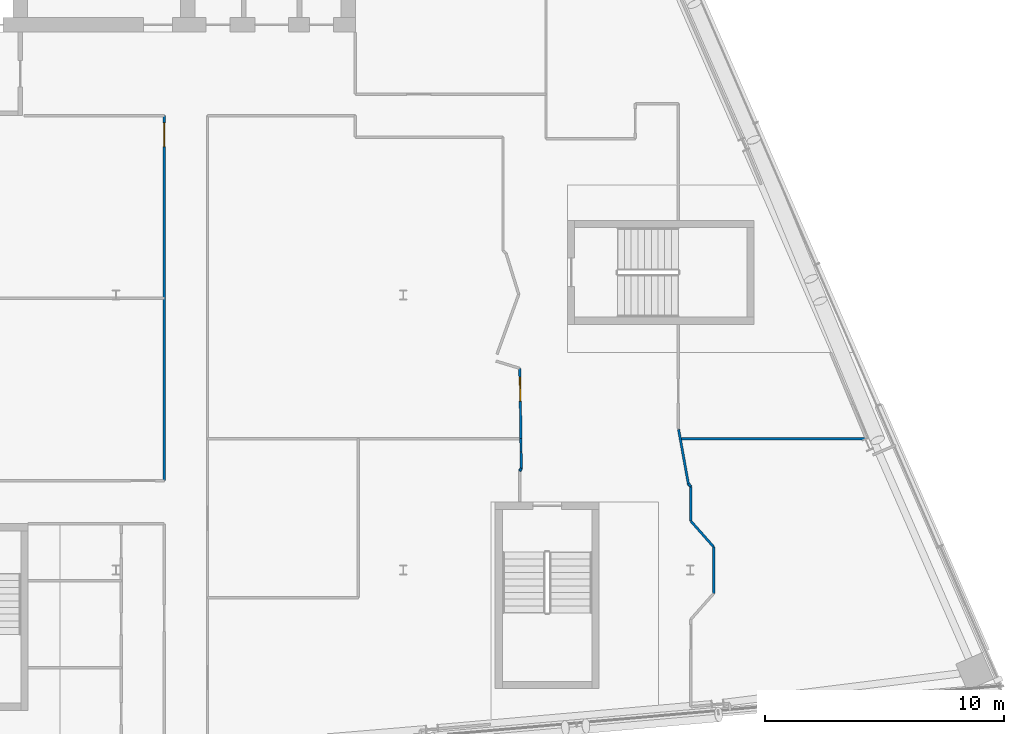
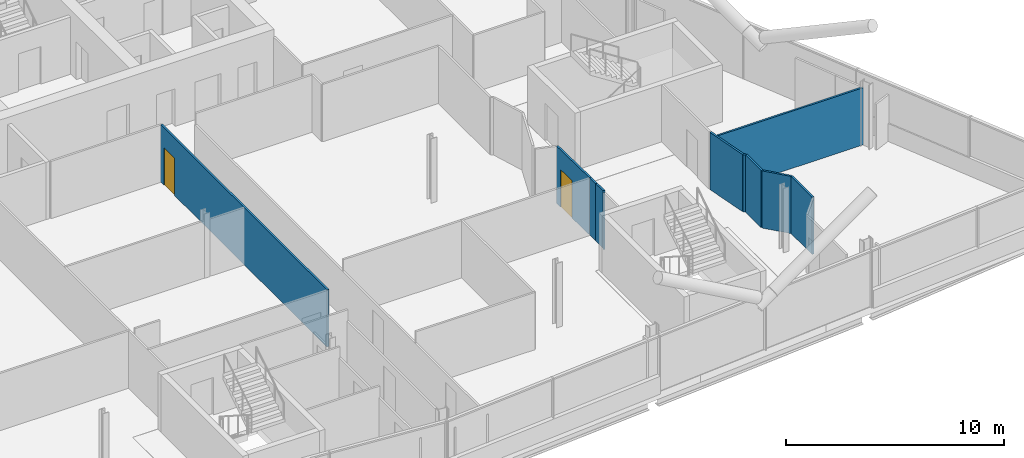
# One storey, part 17 of 28: 11 walls, 2 doors, 2 openings.
"""IFC4 building model written with IfcOpenShell, lengths in metres."""

from ifc_helpers import new_model, si_unit, direction, frame, frame_2d, origin, place, context, subcontext, project, spatial, rectangle, extrude, material, layer, layer_set, type_object, element, fill, save


model = new_model("IFC4")

# Units and contexts
model_context = context("Model", 3, precision=1e-05, world=origin(), true_north=direction((0.0, 1.0)))
body_context = subcontext(model_context, "Body", "Model", "MODEL_VIEW")
ifc_project = project(units=[si_unit("LENGTHUNIT", "METRE"), si_unit("AREAUNIT", "SQUARE_METRE"), si_unit("VOLUMEUNIT", "CUBIC_METRE"), si_unit("PLANEANGLEUNIT", "RADIAN"), si_unit("MASSUNIT", "GRAM", prefix="KILO")], contexts=[model_context])

# Site, building, storey
site_placement = place(None, origin())
site = spatial("IfcSite", under=ifc_project, at=site_placement, CompositionType="ELEMENT")
building_placement = place(site_placement, origin())
building = spatial("IfcBuilding", under=site, at=building_placement, Name="Wharfspan Tower", CompositionType="ELEMENT")
storey_placement = place(building_placement, frame((0.0, 0.0, 253.899902)))
storey = spatial("IfcBuildingStorey", under=building, at=storey_placement, Name="L64", CompositionType="ELEMENT", Elevation=253.899902)

# Wall, opening, door
ifc_material_1 = material(Name="Gypsum board on steel studs", Category="steel")
ifc_layer = layer(ifc_material_1, 0.100098)
ifc_layer_set = layer_set([ifc_layer], Name="Gypsum board on steel studs")
wall_type = type_object("IfcWallType", Name="Compartment wall 100 EI 60", PredefinedType="PARTITIONING", material=ifc_layer_set)
wall_1_placement = place(storey_placement, frame((50.02002, 15.245117, 0.0), z_axis=(0.0, 0.0, 1.0), x_axis=(0.0, 1.0, 0.0)))
wall_1 = element("IfcWall", 1, at=wall_1_placement, inside=storey, type_object=wall_type, Name="Partition L64.w028", PredefinedType="PARTITIONING", context=body_context, shape_type="SweptSolid", body=[
    extrude(rectangle(XDim=15.254883, YDim=0.100098, at=frame_2d((7.627441, 0.0))), origin(), (0.0, 0.0, 1.0), 3.200195),
])
opening_1_placement = place(wall_1_placement, frame((13.955078, 0.0, 0.0)))
opening_1 = element("IfcOpeningElement", 2, at=opening_1_placement, cuts=wall_1, Name="Opening D6-16", PredefinedType="OPENING", context=body_context, shape_type="SweptSolid", body=[
    extrude(rectangle(XDim=1.0, YDim=2.100098, at=frame_2d((0.5, 1.050049))), frame((0.0, 0.060059, 0.0), z_axis=(0.0, -1.0, 0.0), x_axis=(1.0, 0.0, 0.0)), (0.0, 0.0, 1.0), 0.120117),
])
ifc_material_2 = material(Name="Fire-rated timber door leaf in steel frame", Category="steel")
door_type = type_object("IfcDoorType", Name="Door 1000 FD30S Right", OperationType="SINGLE_SWING_RIGHT", PredefinedType="DOOR", material=ifc_material_2)
door_1_placement = place(opening_1_placement, origin())
door_1 = element("IfcDoor", 3, at=door_1_placement, inside=storey, type_object=door_type, Name="Door D6-16", OperationType="SINGLE_SWING_RIGHT", OverallHeight=2.100098, OverallWidth=1.0, PredefinedType="DOOR", context=body_context, shape_type="SweptSolid", body=[
    extrude(rectangle(XDim=1.0, YDim=2.100098, at=frame_2d((0.5, 1.050049))), frame((0.0, 0.024902, 0.0), z_axis=(0.0, -1.0, 0.0), x_axis=(1.0, 0.0, 0.0)), (0.0, 0.0, 1.0), 0.050049),
])
fill(opening_1, door_1)

# Wall
wall_2_placement = place(storey_placement, frame((64.870117, 15.64502, 0.0), z_axis=(0.0, 0.0, 1.0), x_axis=(0.491751, 0.870732, 0.0)))
element("IfcWall", 4, at=wall_2_placement, inside=storey, type_object=wall_type, Name="Partition L64.w045", PredefinedType="PARTITIONING", context=body_context, shape_type="SweptSolid", body=[
    extrude(rectangle(XDim=0.13208, YDim=0.100098, at=frame_2d((0.065918, 0.0))), origin(), (0.0, 0.0, 1.0), 3.200195),
])

# Wall, opening, door
wall_3_placement = place(storey_placement, frame((64.919922, 17.0, 0.0), z_axis=(0.0, 0.0, 1.0), x_axis=(-0.015303, 0.999879, 0.0)))
wall_3 = element("IfcWall", 5, at=wall_3_placement, inside=storey, type_object=wall_type, Name="Partition L64.w047", PredefinedType="PARTITIONING", context=body_context, shape_type="SweptSolid", body=[
    extrude(rectangle(XDim=2.935303, YDim=0.100098, at=frame_2d((1.467773, 0.0))), origin(), (0.0, 0.0, 1.0), 3.200195),
])
opening_2_placement = place(wall_3_placement, frame((1.563965, 0.0, 0.0)))
opening_2 = element("IfcOpeningElement", 6, at=opening_2_placement, cuts=wall_3, Name="Opening D6-12", PredefinedType="OPENING", context=body_context, shape_type="SweptSolid", body=[
    extrude(rectangle(XDim=1.0, YDim=2.100098, at=frame_2d((0.5, 1.050049))), frame((0.0, 0.060059, 0.0), z_axis=(0.0, -1.0, 0.0), x_axis=(1.0, 0.0, 0.0)), (0.0, 0.0, 1.0), 0.120117),
])
door_2_placement = place(opening_2_placement, origin())
door_2 = element("IfcDoor", 7, at=door_2_placement, inside=storey, type_object=door_type, Name="Door D6-12", OperationType="SINGLE_SWING_RIGHT", OverallHeight=2.100098, OverallWidth=1.0, PredefinedType="DOOR", context=body_context, shape_type="SweptSolid", body=[
    extrude(rectangle(XDim=1.0, YDim=2.100098, at=frame_2d((0.5, 1.050049))), frame((0.0, 0.024902, 0.0), z_axis=(0.0, -1.0, 0.0), x_axis=(1.0, 0.0, 0.0)), (0.0, 0.0, 1.0), 0.050049),
])
fill(opening_2, door_2)

# Walls
wall_4_placement = place(storey_placement, frame((64.925049, 16.429932, 0.0), z_axis=(0.0, 0.0, 1.0), x_axis=(-0.009071, 0.999963, 0.0)))
element("IfcWall", 8, at=wall_4_placement, inside=storey, type_object=wall_type, Name="Partition L64.w048", PredefinedType="PARTITIONING", context=body_context, shape_type="SweptSolid", body=[
    extrude(rectangle(XDim=0.565186, YDim=0.100098, at=frame_2d((0.282715, 0.0))), origin(), (0.0, 0.0, 1.0), 3.200195),
])
wall_5_placement = place(storey_placement, frame((64.935059, 15.76001, 0.0), z_axis=(0.0, 0.0, 1.0), x_axis=(-0.01494, 0.999887, 0.0)))
element("IfcWall", 9, at=wall_5_placement, inside=storey, type_object=wall_type, Name="Partition L64.w049", PredefinedType="PARTITIONING", context=body_context, shape_type="SweptSolid", body=[
    extrude(rectangle(XDim=0.669922, YDim=0.100098, at=frame_2d((0.334961, 0.0))), origin(), (0.0, 0.0, 1.0), 3.200195),
])
wall_6_placement = place(storey_placement, frame((71.580078, 16.995117, 0.0), z_axis=(0.0, 0.0, 1.0), x_axis=(1.0, 0.0, 0.0)))
element("IfcWall", 10, at=wall_6_placement, inside=storey, type_object=wall_type, Name="Partition L64.w056", PredefinedType="PARTITIONING", context=body_context, shape_type="SweptSolid", body=[
    extrude(rectangle(XDim=7.764893, YDim=0.100098, at=frame_2d((3.882324, 0.0))), origin(), (0.0, 0.0, 1.0), 3.200195),
])
wall_7_placement = place(storey_placement, frame((71.919922, 15.100098, 0.0), z_axis=(0.0, 0.0, 1.0), x_axis=(-0.176581, 0.984289, 0.0)))
element("IfcWall", 11, at=wall_7_placement, inside=storey, type_object=wall_type, Name="Partition L64.w057", PredefinedType="PARTITIONING", context=body_context, shape_type="SweptSolid", body=[
    extrude(rectangle(XDim=2.321289, YDim=0.100098, at=frame_2d((1.160645, 0.0))), origin(), (0.0, 0.0, 1.0), 3.200195),
])
wall_8_placement = place(storey_placement, frame((72.024902, 13.550049, 0.0), z_axis=(0.0, 0.0, 1.0), x_axis=(0.0, 1.0, 0.0)))
element("IfcWall", 12, at=wall_8_placement, inside=storey, type_object=wall_type, Name="Partition L64.w059", PredefinedType="PARTITIONING", context=body_context, shape_type="SweptSolid", body=[
    extrude(rectangle(XDim=1.449951, YDim=0.100098, at=frame_2d((0.725098, 0.0))), origin(), (0.0, 0.0, 1.0), 3.200195),
])
wall_9_placement = place(storey_placement, frame((72.024902, 15.0, 0.0), z_axis=(0.0, 0.0, 1.0), x_axis=(-0.723734, 0.690072, 0.0)))
element("IfcWall", 13, at=wall_9_placement, inside=storey, type_object=wall_type, Name="Partition L64.w060", PredefinedType="PARTITIONING", context=body_context, shape_type="SweptSolid", body=[
    extrude(rectangle(XDim=0.14502, YDim=0.100098, at=frame_2d((0.07251, 0.0))), origin(), (0.0, 0.0, 1.0), 3.200195),
])
wall_10_placement = place(storey_placement, frame((72.975098, 10.524902, 0.0), z_axis=(0.0, 0.0, 1.0), x_axis=(0.0, 1.0, 0.0)))
element("IfcWall", 14, at=wall_10_placement, inside=storey, type_object=wall_type, Name="Partition L64.w063", PredefinedType="PARTITIONING", context=body_context, shape_type="SweptSolid", body=[
    extrude(rectangle(XDim=1.950195, YDim=0.100098, at=frame_2d((0.975098, 0.0))), origin(), (0.0, 0.0, 1.0), 3.200195),
])
wall_11_placement = place(storey_placement, frame((72.975098, 12.475098, 0.0), z_axis=(0.0, 0.0, 1.0), x_axis=(-0.662295, 0.749251, 0.0)))
element("IfcWall", 15, at=wall_11_placement, inside=storey, type_object=wall_type, Name="Partition L64.w064", PredefinedType="PARTITIONING", context=body_context, shape_type="SweptSolid", body=[
    extrude(rectangle(XDim=1.434814, YDim=0.100098, at=frame_2d((0.717285, 0.0))), origin(), (0.0, 0.0, 1.0), 3.200195),
])

save(model, "model.ifc")
